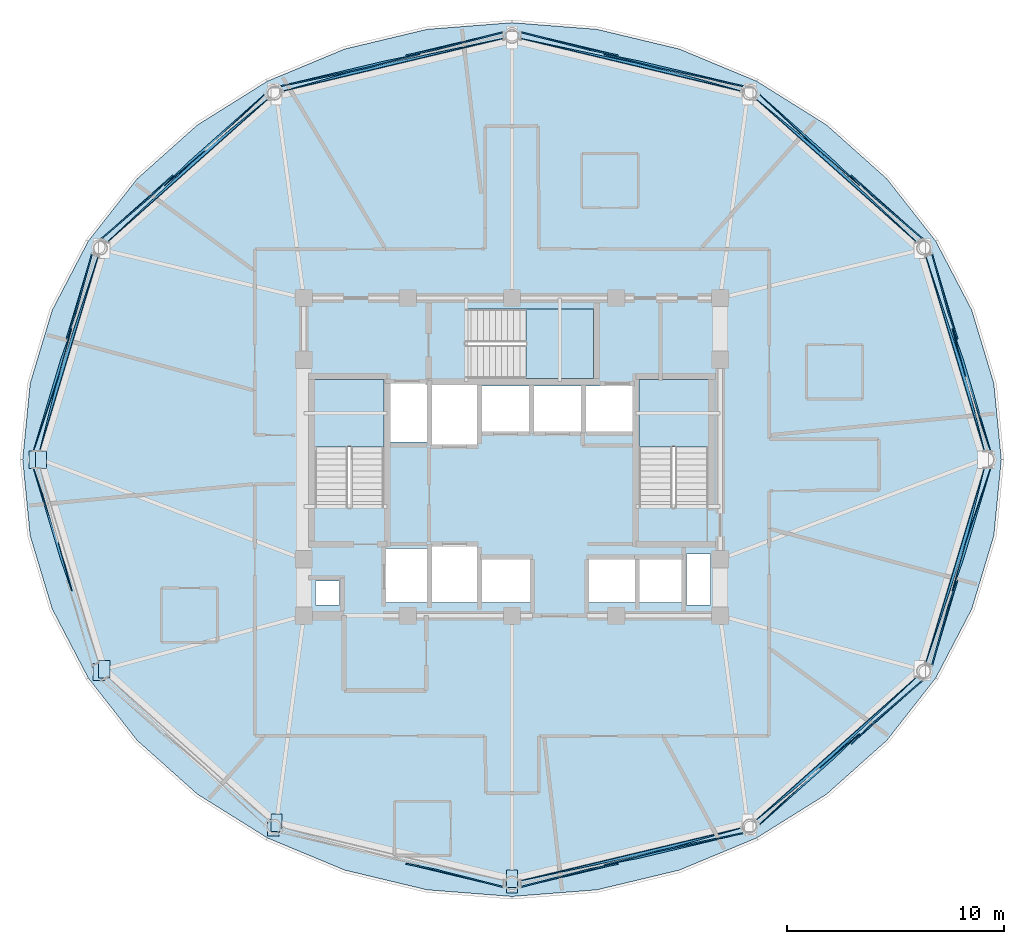
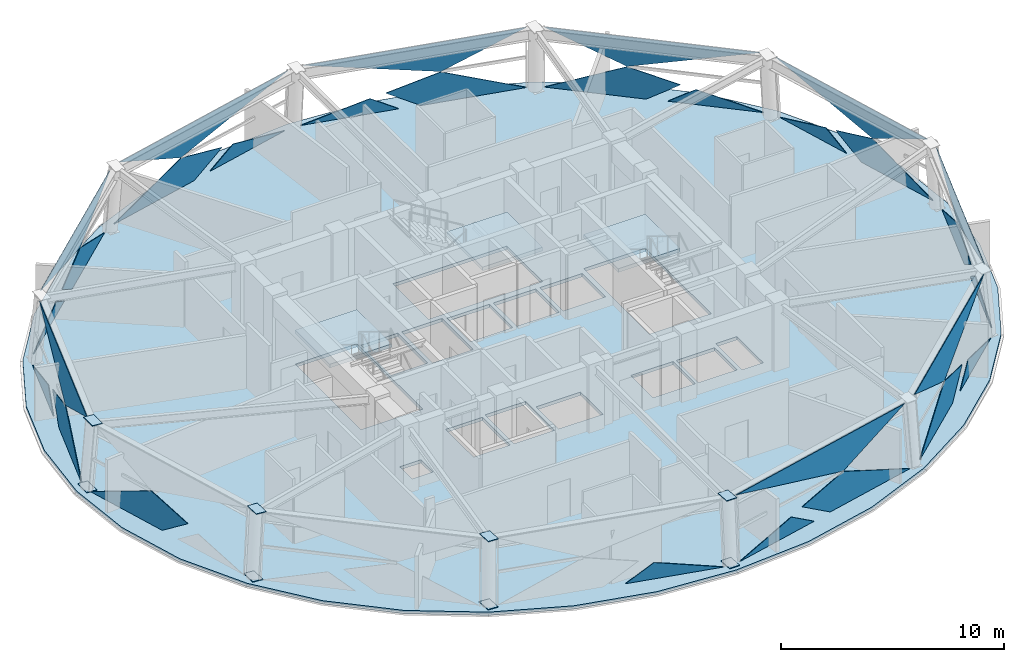
# One storey, part 3 of 11: 37 plates, 4 slabs, 14 elements without a shape of their own.
"""IFC4 building model written with IfcOpenShell, lengths in metres."""

from ifc_helpers import new_model, si_unit, direction, frame, origin, place, context, subcontext, project, spatial, polyline, outline, extrude, material, layer, layer_set, type_object, element, aggregate, save


model = new_model("IFC4")

# Units and contexts
model_context = context("Model", 3, precision=1e-05, world=origin(), true_north=direction((0.0, 1.0)))
body_context = subcontext(model_context, "Body", "Model", "MODEL_VIEW")
ifc_project = project(units=[si_unit("LENGTHUNIT", "METRE"), si_unit("AREAUNIT", "SQUARE_METRE"), si_unit("VOLUMEUNIT", "CUBIC_METRE"), si_unit("PLANEANGLEUNIT", "RADIAN"), si_unit("MASSUNIT", "GRAM", prefix="KILO")], contexts=[model_context])

# Site, building, storey
site_placement = place(None, origin())
site = spatial("IfcSite", under=ifc_project, at=site_placement, CompositionType="ELEMENT")
building_placement = place(site_placement, origin())
building = spatial("IfcBuilding", under=site, at=building_placement, Name="Vantalir Tower", CompositionType="ELEMENT")
storey_placement = place(building_placement, frame((0.0, 0.0, 231.14990234375)))
storey = spatial("IfcBuildingStorey", under=building, at=storey_placement, Name="L58", CompositionType="ELEMENT", Elevation=231.14990234375)

# Curtain wall, plates
ifc_material_1 = material(Name="Champagne-silver PVDF aluminium and double-silver Low-E glass", Category="aluminium")
ifc_layer_1 = layer(ifc_material_1, 0.2099609375)
ifc_layer_set_1 = layer_set([ifc_layer_1], Name="Champagne-silver PVDF aluminium and double-silver Low-E glass")
curtain_wall_type = type_object("IfcCurtainWallType", Name="CW-DIAMOND-Z3", PredefinedType="USERDEFINED", material=ifc_layer_set_1)
curtain_wall_1_placement = place(storey_placement, origin())
curtain_wall_1 = element("IfcCurtainWall", 1, at=curtain_wall_1_placement, inside=storey, type_object=curtain_wall_type, Name="L58 Quilted Pyramid-Diamond Curtain Wall S01", ObjectType="UNITISED CURTAIN WALL", PredefinedType="USERDEFINED")
ifc_material_2 = material(Name="Double-silver Low-E acoustic glass IGU", Category="glass")
ifc_layer_2 = layer(ifc_material_2, 0.031982421875)
ifc_layer_set_2 = layer_set([ifc_layer_2], Name="Double-silver Low-E acoustic glass IGU")
plate_type_1 = type_object("IfcPlateType", Name="CWP-IGU-32", PredefinedType="CURTAIN_PANEL", material=ifc_layer_set_2)
plate_1_placement = place(storey_placement, frame((53.58056640625, 25.40673828125, 0.047119140625), z_axis=(0.955468079571, 0.287307421069, 0.06734385435), x_axis=(-0.287957632974, 0.957643147871, -5.4296624e-05)))
plate_1 = element("IfcPlate", 2, at=plate_1_placement, type_object=plate_type_1, Name="CW-L58-S01 Pyramid Diamond Facet 1L", PredefinedType="CURTAIN_PANEL", context=body_context, shape_type="SweptSolid", body=[
    extrude(outline(polyline([(0.0, 0.0), (4.415308858593637, -2.6725583551767684e-17), (5.92254074423604, 1.0503133917621268), (3.6209200420926786, 1.7294690033438576), (0.0, 0.0)])), origin(), (0.0, 0.0, -1.0), 0.031982421875),
])
plate_2_placement = place(storey_placement, frame((52.06640625, 30.566650390625, 0.04931640625), z_axis=(0.955462530789, 0.287303594, 0.067438839946), x_axis=(-0.287959158941, 0.95764269056, 0.0)))
plate_2 = element("IfcPlate", 3, at=plate_2_placement, type_object=plate_type_1, Name="CW-L58-S01 Pyramid Diamond Facet 1L Infill Light", PredefinedType="CURTAIN_PANEL", context=body_context, shape_type="SweptSolid", body=[
    extrude(outline(polyline([(0.0, 0.0), (4.103500751103458, -2.7755575615628914e-17), (1.2208210795331935, 0.8508139075567797), (0.0, 0.0)])), origin(), (0.0, 0.0, -1.0), 0.031982421875),
])
plate_3_placement = place(storey_placement, frame((50.595458984375, 34.354248046875, 3.5234375), z_axis=(0.95336826046, 0.286673866325, 0.094377191704), x_axis=(0.287961540952, -0.957641973939, -2.6130811e-05)))
plate_3 = element("IfcPlate", 4, at=plate_3_placement, type_object=plate_type_1, Name="CW-L58-S01 Pyramid Diamond Facet 2U", PredefinedType="CURTAIN_PANEL", context=body_context, shape_type="SweptSolid", body=[
    extrude(outline(polyline([(0.0, 0.0), (9.343017399496407, 1.5070410197548512e-17), (5.807043116061631, 1.7334154157833377), (0.0, 0.0)])), origin(), (0.0, 0.0, -1.0), 0.031982421875),
])
aggregate(curtain_wall_1, [plate_1, plate_2, plate_3])

curtain_wall_2_placement = place(storey_placement, origin())
curtain_wall_2 = element("IfcCurtainWall", 5, at=curtain_wall_2_placement, inside=storey, type_object=curtain_wall_type, Name="L58 Quilted Pyramid-Diamond Curtain Wall S02", ObjectType="UNITISED CURTAIN WALL", PredefinedType="USERDEFINED")
plate_4_placement = place(storey_placement, frame((46.39990234375, 38.75, 0.046875), z_axis=(0.664006262886, 0.745048170355, 0.0632369093), x_axis=(-0.746542259866, 0.66533799999, -1.952979e-06)))
plate_4 = element("IfcPlate", 6, at=plate_4_placement, type_object=plate_type_1, Name="CW-L58-S02 Pyramid Diamond Facet 1L", PredefinedType="CURTAIN_PANEL", context=body_context, shape_type="SweptSolid", body=[
    extrude(outline(polyline([(0.0, 0.0), (4.662573966010554, 0.0), (0.8496111223000942, 1.7292928413883166), (-1.5847867387447, 1.0526317047287888), (0.0, 0.0)])), origin(), (0.0, 0.0, -1.0), 0.031982421875),
])
plate_5_placement = place(storey_placement, frame((50.4345703125, 35.202392578125, 0.049072265625), z_axis=(0.66400059894, 0.745053621113, 0.063232161709), x_axis=(-0.746547578868, 0.66533203176, 0.0)))
plate_5 = element("IfcPlate", 7, at=plate_5_placement, type_object=plate_type_1, Name="CW-L58-S02 Pyramid Diamond Facet 1L Infill Light", PredefinedType="CURTAIN_PANEL", context=body_context, shape_type="SweptSolid", body=[
    extrude(outline(polyline([(0.0, 0.0), (4.379862025114846, 0.0), (3.0878210965173443, 0.8581626293215776), (0.0, 0.0)])), origin(), (0.0, 0.0, -1.0), 0.031982421875),
])
plate_6_placement = place(storey_placement, frame((42.771240234375, 41.62451171875, 3.523193359375), z_axis=(0.66257536888, 0.743498711036, 0.090573435628), x_axis=(0.74656577347, -0.665311615165, 2.4682308e-05)))
plate_6 = element("IfcPlate", 8, at=plate_6_placement, type_object=plate_type_1, Name="CW-L58-S02 Pyramid Diamond Facet 2U", PredefinedType="CURTAIN_PANEL", context=body_context, shape_type="SweptSolid", body=[
    extrude(outline(polyline([(0.0, 0.0), (9.891320693752773, -1.0467971975347545e-16), (3.7715385602121736, 1.7330463717906446), (0.0, 0.0)])), origin(), (0.0, 0.0, -1.0), 0.031982421875),
])
aggregate(curtain_wall_2, [plate_4, plate_5, plate_6])

curtain_wall_3_placement = place(storey_placement, origin())
curtain_wall_3 = element("IfcCurtainWall", 9, at=curtain_wall_3_placement, inside=storey, type_object=curtain_wall_type, Name="L58 Quilted Pyramid-Diamond Curtain Wall S03", ObjectType="UNITISED CURTAIN WALL", PredefinedType="USERDEFINED")
plate_7_placement = place(storey_placement, frame((42.188720703125, 42.233642578125, 0.046875), z_axis=(0.23183174634, 0.970920470291, 0.059728399943), x_axis=(-0.972656314672, 0.232249200615, -4.8403548e-05)))
plate_7 = element("IfcPlate", 10, at=plate_7_placement, type_object=plate_type_1, Name="CW-L58-S03 Pyramid Diamond Facet 1L", PredefinedType="CURTAIN_PANEL", context=body_context, shape_type="SweptSolid", body=[
    extrude(outline(polyline([(0.0, 0.0), (4.9409938587907805, 3.0086610286472748e-18), (6.6032101251574815, 1.0490675566256669), (4.033214340410003, 1.7293619112932064), (0.0, 0.0)])), origin(), (0.0, 0.0, -1.0), 0.031982421875),
])
plate_8_placement = place(storey_placement, frame((36.389892578125, 43.6552734375, 0.048828125), z_axis=(0.231824840739, 0.970905774646, 0.059993499444), x_axis=(-0.972657757124, 0.232243164607, 0.0)))
plate_8 = element("IfcPlate", 11, at=plate_8_placement, type_object=plate_type_1, Name="CW-L58-S03 Pyramid Diamond Facet 1L Infill Light", PredefinedType="CURTAIN_PANEL", context=body_context, shape_type="SweptSolid", body=[
    extrude(outline(polyline([(0.0, 0.0), (4.593868383841429, 0.0), (1.357955814469563, 0.8567678472149116), (0.0, 0.0)])), origin(), (0.0, 0.0, -1.0), 0.031982421875),
])
plate_9_placement = place(storey_placement, frame((31.913330078125, 44.42431640625, 3.523681640625), z_axis=(0.231395578109, 0.968966027051, 0.086953578725), x_axis=(0.972651020678, -0.232271370976, -4.6895088e-05)))
plate_9 = element("IfcPlate", 12, at=plate_9_placement, type_object=plate_type_1, Name="CW-L58-S03 Pyramid Diamond Facet 2U", PredefinedType="CURTAIN_PANEL", context=body_context, shape_type="SweptSolid", body=[
    extrude(outline(polyline([(0.0, 0.0), (10.412204573837768, 8.782037597132586e-18), (6.469907449410351, 1.732822394681669), (0.0, 0.0)])), origin(), (0.0, 0.0, -1.0), 0.031982421875),
])
aggregate(curtain_wall_3, [plate_7, plate_8, plate_9])

curtain_wall_4_placement = place(storey_placement, origin())
curtain_wall_4 = element("IfcCurtainWall", 13, at=curtain_wall_4_placement, inside=storey, type_object=curtain_wall_type, Name="L58 Quilted Pyramid-Diamond Curtain Wall S04", ObjectType="UNITISED CURTAIN WALL", PredefinedType="USERDEFINED")
plate_10_placement = place(storey_placement, frame((25.61767578125, 43.381103515625, 0.046630859375), z_axis=(-0.231848763244, 0.970918960679, 0.059686872721), x_axis=(-0.97265237739, -0.2322656892, 4.8767754e-05)))
plate_10 = element("IfcPlate", 14, at=plate_10_placement, type_object=plate_type_1, Name="CW-L58-S04 Pyramid Diamond Facet 1L", PredefinedType="CURTAIN_PANEL", context=body_context, shape_type="SweptSolid", body=[
    extrude(outline(polyline([(0.0, 0.0), (4.940518928753041, 1.2603850255143989e-17), (0.9080193619519665, 1.729357265121628), (-1.6619773718813105, 1.0488227438688762), (0.0, 0.0)])), origin(), (0.0, 0.0, -1.0), 0.031982421875),
])
plate_11_placement = place(storey_placement, frame((31.078369140625, 44.72216796875, 0.048828125), z_axis=(-0.231853030924, 0.970917726753, 0.059690367136), x_axis=(-0.972652023295, -0.232267177148, 0.0)))
plate_11 = element("IfcPlate", 15, at=plate_11_placement, type_object=plate_type_1, Name="CW-L58-S04 Pyramid Diamond Facet 1L Infill Light", PredefinedType="CURTAIN_PANEL", context=body_context, shape_type="SweptSolid", body=[
    extrude(outline(polyline([(0.0, 0.0), (4.593393454695747, 6.938893903907228e-18), (3.2356196676154734, 0.8567522497116854), (0.0, 0.0)])), origin(), (0.0, 0.0, -1.0), 0.031982421875),
])
plate_12_placement = place(storey_placement, frame((20.959228515625, 42.005859375, 3.523193359375), z_axis=(-0.231396234959, 0.968968784207, 0.08692110031), x_axis=(0.972651020678, 0.232271370976, 4.6895088e-05)))
plate_12 = element("IfcPlate", 16, at=plate_12_placement, type_object=plate_type_1, Name="CW-L58-S04 Pyramid Diamond Facet 2U", PredefinedType="CURTAIN_PANEL", context=body_context, shape_type="SweptSolid", body=[
    extrude(outline(polyline([(0.0, 0.0), (10.412204573837768, -1.8648277366750676e-17), (3.9425345880555116, 1.732817475830294), (0.0, 0.0)])), origin(), (0.0, 0.0, -1.0), 0.031982421875),
])
aggregate(curtain_wall_4, [plate_10, plate_11, plate_12])

curtain_wall_5_placement = place(storey_placement, origin())
curtain_wall_5 = element("IfcCurtainWall", 17, at=curtain_wall_5_placement, inside=storey, type_object=curtain_wall_type, Name="L58 Quilted Pyramid-Diamond Curtain Wall S05", ObjectType="UNITISED CURTAIN WALL", PredefinedType="USERDEFINED")
plate_13_placement = place(storey_placement, frame((20.081787109375, 41.852294921875, 0.046875), z_axis=(-0.663968605843, 0.745092044238, 0.06311526019), x_axis=(-0.746580493818, -0.665295097118, 1.17727e-06)))
plate_13 = element("IfcPlate", 18, at=plate_13_placement, type_object=plate_type_1, Name="CW-L58-S05 Pyramid Diamond Facet 1L", PredefinedType="CURTAIN_PANEL", context=body_context, shape_type="SweptSolid", body=[
    extrude(outline(polyline([(0.0, 0.0), (4.662938491315362, 0.0), (6.24790286609965, 1.0526284377103432), (3.8135020179586663, 1.7292788374482435), (0.0, 0.0)])), origin(), (0.0, 0.0, -1.0), 0.031982421875),
])
plate_14_placement = place(storey_placement, frame((15.83544921875, 38.116455078125, 0.049072265625), z_axis=(-0.663970622839, 0.745075613463, 0.063287773143), x_axis=(-0.746572252289, -0.665304345478, 0.0)))
plate_14 = element("IfcPlate", 19, at=plate_14_placement, type_object=plate_type_1, Name="CW-L58-S05 Pyramid Diamond Facet 1L Infill Light", PredefinedType="CURTAIN_PANEL", context=body_context, shape_type="SweptSolid", body=[
    extrude(outline(polyline([(0.0, 0.0), (4.380044290719298, -2.7755575615628914e-17), (1.2920389153400635, 0.8581656604537898), (0.0, 0.0)])), origin(), (0.0, 0.0, -1.0), 0.031982421875),
])
plate_15_placement = place(storey_placement, frame((12.84423828125, 35.043701171875, 3.5234375), z_axis=(-0.662580992348, 0.743505017845, 0.090480478658), x_axis=(0.74656577347, 0.665311615165, -2.4682308e-05)))
plate_15 = element("IfcPlate", 20, at=plate_15_placement, type_object=plate_type_1, Name="CW-L58-S05 Pyramid Diamond Facet 2U", PredefinedType="CURTAIN_PANEL", context=body_context, shape_type="SweptSolid", body=[
    extrude(outline(polyline([(0.0, 0.0), (9.891320693752773, 1.1194387430912833e-16), (6.119964400575139, 1.733031663053451), (0.0, 0.0)])), origin(), (0.0, 0.0, -1.0), 0.031982421875),
])
aggregate(curtain_wall_5, [plate_13, plate_14, plate_15])

curtain_wall_6_placement = place(storey_placement, origin())
curtain_wall_6 = element("IfcCurtainWall", 21, at=curtain_wall_6_placement, inside=storey, type_object=curtain_wall_type, Name="L58 Quilted Pyramid-Diamond Curtain Wall S06", ObjectType="UNITISED CURTAIN WALL", PredefinedType="USERDEFINED")
plate_16_placement = place(storey_placement, frame((10.69091796875, 29.635009765625, 0.046875), z_axis=(-0.955468079571, 0.287307421069, 0.06734385435), x_axis=(-0.287957632974, -0.957643147871, 5.4296624e-05)))
plate_16 = element("IfcPlate", 22, at=plate_16_placement, type_object=plate_type_1, Name="CW-L58-S06 Pyramid Diamond Facet 1L", PredefinedType="CURTAIN_PANEL", context=body_context, shape_type="SweptSolid", body=[
    extrude(outline(polyline([(0.0, 0.0), (4.415308858593637, 2.6725583551767684e-17), (0.7943888165009588, 1.7294690033438576), (-1.5072318856424027, 1.0503133917621268), (0.0, 0.0)])), origin(), (0.0, 0.0, -1.0), 0.031982421875),
])
plate_17_placement = place(storey_placement, frame((12.115234375, 34.496337890625, 0.04931640625), z_axis=(-0.955462530789, 0.287303594, 0.067438839946), x_axis=(-0.287959158941, -0.95764269056, 0.0)))
plate_17 = element("IfcPlate", 23, at=plate_17_placement, type_object=plate_type_1, Name="CW-L58-S06 Pyramid Diamond Facet 1L Infill Light", PredefinedType="CURTAIN_PANEL", context=body_context, shape_type="SweptSolid", body=[
    extrude(outline(polyline([(0.0, 0.0), (4.103500751103458, 2.7755575615628914e-17), (2.8826796715702643, 0.8508139075567797), (0.0, 0.0)])), origin(), (0.0, 0.0, -1.0), 0.031982421875),
])
plate_18_placement = place(storey_placement, frame((9.714111328125, 25.406982421875, 3.523193359375), z_axis=(-0.95336826046, 0.286673866325, 0.094377191704), x_axis=(0.287961540952, 0.957641973939, 2.6130811e-05)))
plate_18 = element("IfcPlate", 24, at=plate_18_placement, type_object=plate_type_1, Name="CW-L58-S06 Pyramid Diamond Facet 2U", PredefinedType="CURTAIN_PANEL", context=body_context, shape_type="SweptSolid", body=[
    extrude(outline(polyline([(0.0, 0.0), (9.343017399496407, -1.5070410197548512e-17), (3.5359742834347783, 1.7334154157833377), (0.0, 0.0)])), origin(), (0.0, 0.0, -1.0), 0.031982421875),
])
aggregate(curtain_wall_6, [plate_16, plate_17, plate_18])

# Curtain wall, plate
curtain_wall_7_placement = place(storey_placement, origin())
curtain_wall_7 = element("IfcCurtainWall", 25, at=curtain_wall_7_placement, inside=storey, type_object=curtain_wall_type, Name="L58 Quilted Pyramid-Diamond Curtain Wall S07", ObjectType="UNITISED CURTAIN WALL", PredefinedType="USERDEFINED")
plate_19_placement = place(storey_placement, frame((9.41943359375, 24.59326171875, 0.047119140625), z_axis=(-0.955464638505, -0.287337688889, 0.06726349017), x_axis=(0.287986370714, -0.957634506098, -5.4891494e-05)))
plate_19 = element("IfcPlate", 26, at=plate_19_placement, type_object=plate_type_1, Name="CW-L58-S07 Pyramid Diamond Facet 1L", PredefinedType="CURTAIN_PANEL", context=body_context, shape_type="SweptSolid", body=[
    extrude(outline(polyline([(0.0, 0.0), (4.415846762711737, 1.0760706561918632e-17), (5.923080144930975, 1.0503112458398152), (3.6211563085519103, 1.7294591162740514), (0.0, 0.0)])), origin(), (0.0, 0.0, -1.0), 0.031982421875),
])
aggregate(curtain_wall_7, [plate_19])

curtain_wall_8_placement = place(storey_placement, origin())
curtain_wall_8 = element("IfcCurtainWall", 27, at=curtain_wall_8_placement, inside=storey, type_object=curtain_wall_type, Name="L58 Quilted Pyramid-Diamond Curtain Wall S09", ObjectType="UNITISED CURTAIN WALL", PredefinedType="USERDEFINED")
plate_20_placement = place(storey_placement, frame((26.610107421875, 6.3447265625, 0.048828125), z_axis=(-0.231824840739, -0.970905774646, 0.059993499444), x_axis=(0.972657757124, -0.232243164607, 0.0)))
plate_20 = element("IfcPlate", 28, at=plate_20_placement, type_object=plate_type_1, Name="CW-L58-S09 Pyramid Diamond Facet 1L Infill Light", PredefinedType="CURTAIN_PANEL", context=body_context, shape_type="SweptSolid", body=[
    extrude(outline(polyline([(0.0, 0.0), (4.593868383841429, 0.0), (1.357955814469563, 0.8567678472149116), (0.0, 0.0)])), origin(), (0.0, 0.0, -1.0), 0.031982421875),
])
aggregate(curtain_wall_8, [plate_20])

# Curtain wall, plates
curtain_wall_9_placement = place(storey_placement, origin())
curtain_wall_9 = element("IfcCurtainWall", 29, at=curtain_wall_9_placement, inside=storey, type_object=curtain_wall_type, Name="L58 Quilted Pyramid-Diamond Curtain Wall S10", ObjectType="UNITISED CURTAIN WALL", PredefinedType="USERDEFINED")
plate_21_placement = place(storey_placement, frame((37.3828125, 6.618896484375, 0.046630859375), z_axis=(0.23183174634, -0.970920470291, 0.059728399943), x_axis=(0.972656314672, 0.232249200615, 4.8403548e-05)))
plate_21 = element("IfcPlate", 30, at=plate_21_placement, type_object=plate_type_1, Name="CW-L58-S10 Pyramid Diamond Facet 1L", PredefinedType="CURTAIN_PANEL", context=body_context, shape_type="SweptSolid", body=[
    extrude(outline(polyline([(0.0, 0.0), (4.9409938587907805, -3.0086610286472748e-18), (0.9077795183807776, 1.7293619112932064), (-1.6622162663667008, 1.0490675566256669), (0.0, 0.0)])), origin(), (0.0, 0.0, -1.0), 0.031982421875),
])
plate_22_placement = place(storey_placement, frame((31.921630859375, 5.27783203125, 0.048828125), z_axis=(0.231824840739, -0.970905774646, 0.059993499444), x_axis=(0.972657757124, 0.232243164607, 0.0)))
plate_22 = element("IfcPlate", 31, at=plate_22_placement, type_object=plate_type_1, Name="CW-L58-S10 Pyramid Diamond Facet 1L Infill Light", PredefinedType="CURTAIN_PANEL", context=body_context, shape_type="SweptSolid", body=[
    extrude(outline(polyline([(0.0, 0.0), (4.593868383841429, 0.0), (3.2359125693718664, 0.8567678472149116), (0.0, 0.0)])), origin(), (0.0, 0.0, -1.0), 0.031982421875),
])
plate_23_placement = place(storey_placement, frame((42.040771484375, 7.994140625, 3.523193359375), z_axis=(0.231395578109, -0.968966027051, 0.086953578725), x_axis=(-0.972651020678, -0.232271370976, 4.6895088e-05)))
plate_23 = element("IfcPlate", 32, at=plate_23_placement, type_object=plate_type_1, Name="CW-L58-S10 Pyramid Diamond Facet 2U", PredefinedType="CURTAIN_PANEL", context=body_context, shape_type="SweptSolid", body=[
    extrude(outline(polyline([(0.0, 0.0), (10.412204573837768, -8.782037597132586e-18), (3.9422971244274163, 1.732822394681669), (0.0, 0.0)])), origin(), (0.0, 0.0, -1.0), 0.031982421875),
])
aggregate(curtain_wall_9, [plate_21, plate_22, plate_23])

curtain_wall_10_placement = place(storey_placement, origin())
curtain_wall_10 = element("IfcCurtainWall", 33, at=curtain_wall_10_placement, inside=storey, type_object=curtain_wall_type, Name="L58 Quilted Pyramid-Diamond Curtain Wall S11", ObjectType="UNITISED CURTAIN WALL", PredefinedType="USERDEFINED")
plate_24_placement = place(storey_placement, frame((42.919189453125, 8.147705078125, 0.046875), z_axis=(0.664018670854, -0.745044562253, 0.063149069783), x_axis=(0.74653452652, 0.665346677088, 9.45877e-07)))
plate_24 = element("IfcPlate", 34, at=plate_24_placement, type_object=plate_type_1, Name="CW-L58-S11 Pyramid Diamond Facet 1L", PredefinedType="CURTAIN_PANEL", context=body_context, shape_type="SweptSolid", body=[
    extrude(outline(polyline([(0.0, 0.0), (4.662229269813276, -2.7755575615628914e-17), (6.247015722478605, 1.0526321429674041), (3.8127999399340213, 1.7292823463668066), (0.0, 0.0)])), origin(), (0.0, 0.0, -1.0), 0.031982421875),
])
plate_25_placement = place(storey_placement, frame((47.164794921875, 11.88330078125, 0.049072265625), z_axis=(0.664034231021, -0.74502893994, 0.063169760828), x_axis=(0.746519892271, 0.665363096695, 0.0)))
plate_25 = element("IfcPlate", 35, at=plate_25_placement, type_object=plate_type_1, Name="CW-L58-S11 Pyramid Diamond Facet 1L Infill Light", PredefinedType="CURTAIN_PANEL", context=body_context, shape_type="SweptSolid", body=[
    extrude(outline(polyline([(0.0, 0.0), (4.380024463485089, 0.0), (1.2920431855032883, 0.858159231337479), (0.0, 0.0)])), origin(), (0.0, 0.0, -1.0), 0.031982421875),
])
plate_26_placement = place(storey_placement, frame((50.15576171875, 14.955322265625, 3.5234375), z_axis=(0.662523876529, -0.743551267561, 0.090518647457), x_axis=(-0.746614813363, -0.665256581973, -2.4683929e-05)))
plate_26 = element("IfcPlate", 36, at=plate_26_placement, type_object=plate_type_1, Name="CW-L58-S11 Pyramid Diamond Facet 2U", PredefinedType="CURTAIN_PANEL", context=body_context, shape_type="SweptSolid", body=[
    extrude(outline(polyline([(0.0, 0.0), (9.89067100224938, -1.2197274440461925e-16), (6.119283300706125, 1.7330377057577058), (0.0, 0.0)])), origin(), (0.0, 0.0, -1.0), 0.031982421875),
])
aggregate(curtain_wall_10, [plate_24, plate_25, plate_26])

curtain_wall_11_placement = place(storey_placement, origin())
curtain_wall_11 = element("IfcCurtainWall", 37, at=curtain_wall_11_placement, inside=storey, type_object=curtain_wall_type, Name="L58 Quilted Pyramid-Diamond Curtain Wall S12", ObjectType="UNITISED CURTAIN WALL", PredefinedType="USERDEFINED")
plate_27_placement = place(storey_placement, frame((52.308837890625, 20.364501953125, 0.046875), z_axis=(0.955464638505, -0.287337688889, 0.06726349017), x_axis=(0.287986370714, 0.957634506098, 5.4891494e-05)))
plate_27 = element("IfcPlate", 38, at=plate_27_placement, type_object=plate_type_1, Name="CW-L58-S12 Pyramid Diamond Facet 1L", PredefinedType="CURTAIN_PANEL", context=body_context, shape_type="SweptSolid", body=[
    extrude(outline(polyline([(0.0, 0.0), (4.415846762711737, -1.0760706561918632e-17), (0.7946904541598264, 1.7294591162740514), (-1.5072333822192385, 1.0503112458398152), (0.0, 0.0)])), origin(), (0.0, 0.0, -1.0), 0.031982421875),
])
plate_28_placement = place(storey_placement, frame((50.884765625, 15.503662109375, 0.04931640625), z_axis=(0.955483393944, -0.287286202516, 0.067216975099), x_axis=(0.287937407034, 0.957649230998, 0.0)))
plate_28 = element("IfcPlate", 39, at=plate_28_placement, type_object=plate_type_1, Name="CW-L58-S12 Pyramid Diamond Facet 1L Infill Light", PredefinedType="CURTAIN_PANEL", context=body_context, shape_type="SweptSolid", body=[
    extrude(outline(polyline([(0.0, 0.0), (4.102962850662825, 0.0), (2.882213371940965, 0.8505564465497586), (0.0, 0.0)])), origin(), (0.0, 0.0, -1.0), 0.031982421875),
])
plate_29_placement = place(storey_placement, frame((53.285888671875, 24.593017578125, 3.523193359375), z_axis=(0.953378762266, -0.286645738394, 0.094356538305), x_axis=(-0.287932719952, -0.957650639899, 2.6128196e-05)))
plate_29 = element("IfcPlate", 40, at=plate_29_placement, type_object=plate_type_1, Name="CW-L58-S12 Pyramid Diamond Facet 2U", PredefinedType="CURTAIN_PANEL", context=body_context, shape_type="SweptSolid", body=[
    extrude(outline(polyline([(0.0, 0.0), (9.34395260096822, 6.188083899461017e-17), (3.5362130112686314, 1.7334120039867762), (0.0, 0.0)])), origin(), (0.0, 0.0, -1.0), 0.031982421875),
])
aggregate(curtain_wall_11, [plate_27, plate_28, plate_29])

# Plates
ifc_material_3 = material(Name="Steel S460", Category="steel")
ifc_layer_3 = layer(ifc_material_3, 0.031982421875)
ifc_layer_set_3 = layer_set([ifc_layer_3], Name="Steel S460")
plate_type_2 = type_object("IfcPlateType", Name="PLT-KN-Z3", PredefinedType="USERDEFINED", material=ifc_layer_set_3)
plate_30_placement = place(storey_placement, frame((9.52490234375, 25.39990234375, 3.615478515625), z_axis=(0.082618137027, 0.0, 0.996581277887), x_axis=(0.0, -1.0, 0.0)))
element("IfcPlate", 41, at=plate_30_placement, inside=storey, type_object=plate_type_2, Name="L58 Ring Column Top Cap RC07", ObjectType="FLANGE_PLATE", PredefinedType="USERDEFINED", context=body_context, shape_type="SweptSolid", body=[
    extrude(outline(polyline([(0.0, 0.0), (0.7998046875, 0.0), (0.7998046875, 0.5200885852221947), (0.0, 0.5200885852221947), (0.0, 0.0)])), origin(), (0.0, 0.0, -1.0), 0.031982421875),
])
plate_31_placement = place(storey_placement, frame((9.232177734375, 25.39990234375, 0.07421875), z_axis=(0.082151892877, 0.0, 0.996619820441), x_axis=(0.0, -1.0, 0.0)))
element("IfcPlate", 42, at=plate_31_placement, inside=storey, type_object=plate_type_2, Name="L58 Ring Column Base Cap RC07", ObjectType="FLANGE_PLATE", PredefinedType="USERDEFINED", context=body_context, shape_type="SweptSolid", body=[
    extrude(outline(polyline([(0.0, 0.0), (0.7998046875, 0.0), (0.7998046875, 0.5200684716920532), (0.0, 0.5200684716920532), (0.0, 0.0)])), origin(), (0.0, 0.0, -1.0), 0.031982421875),
])
plate_32_placement = place(storey_placement, frame((12.434326171875, 15.734375, 3.597900390625), z_axis=(0.07140211899, 0.036523189325, 0.996778708664), x_axis=(0.0, -0.999329385637, 0.036616649245)))
element("IfcPlate", 43, at=plate_32_placement, inside=storey, type_object=plate_type_2, Name="L58 Ring Column Top Cap RC08", ObjectType="FLANGE_PLATE", PredefinedType="USERDEFINED", context=body_context, shape_type="SweptSolid", body=[
    extrude(outline(polyline([(0.0, 0.0), (0.800097103484205, 0.0), (0.8002021439208812, 0.5201263928224394), (0.00010504043667614645, 0.5201263928224394), (0.0, 0.0)])), origin(), (0.0, 0.0, -1.0), 0.031982421875),
])
plate_33_placement = place(storey_placement, frame((12.180419921875, 15.604248046875, 0.056884765625), z_axis=(0.071393568921, 0.03652878117, 0.996779116185), x_axis=(-3.9801e-07, -0.999329179985, 0.036622261397)))
element("IfcPlate", 44, at=plate_33_placement, inside=storey, type_object=plate_type_2, Name="L58 Ring Column Base Cap RC08", ObjectType="FLANGE_PLATE", PredefinedType="USERDEFINED", context=body_context, shape_type="SweptSolid", body=[
    extrude(outline(polyline([(0.0, 0.0), (0.7998531266209424, 0.0), (0.7999577520057323, 0.5201263928869803), (-0.00013935146579253758, 0.5201257544615235), (0.0, 0.0)])), origin(), (0.0, 0.0, -1.0), 0.031982421875),
])
plate_34_placement = place(storey_placement, frame((20.38232421875, 8.658447265625, 3.579345703125), z_axis=(0.041179545632, 0.063578274603, 0.997126896649), x_axis=(6.265813e-06, -0.997973431279, 0.063631992127)))
element("IfcPlate", 45, at=plate_34_placement, inside=storey, type_object=plate_type_2, Name="L58 Ring Column Top Cap RC09", ObjectType="FLANGE_PLATE", PredefinedType="USERDEFINED", context=body_context, shape_type="SweptSolid", body=[
    extrude(outline(polyline([(0.0, 0.0), (0.7999532652940907, 4.336808689942018e-19), (0.8000668372966544, 0.5199672925635039), (9.80368482357977e-05, 0.5199773258864586), (0.0, 0.0)])), origin(), (0.0, 0.0, -1.0), 0.031982421875),
])
plate_35_placement = place(storey_placement, frame((20.2353515625, 8.43212890625, 0.0380859375), z_axis=(0.041149719232, 0.063578352796, 0.997128122993), x_axis=(-6.261161e-06, -0.997973398438, 0.063632507187)))
element("IfcPlate", 46, at=plate_35_placement, inside=storey, type_object=plate_type_2, Name="L58 Ring Column Base Cap RC09", ObjectType="FLANGE_PLATE", PredefinedType="USERDEFINED", context=body_context, shape_type="SweptSolid", body=[
    extrude(outline(polyline([(0.0, 0.0), (0.7999688005113155, 4.336808689942018e-19), (0.7998166722422404, 0.5199766824128913), (-0.00013659298900024395, 0.5199666565517896), (0.0, 0.0)])), origin(), (0.0, 0.0, -1.0), 0.031982421875),
])
plate_36_placement = place(storey_placement, frame((31.239990234375, 6.067626953125, 3.564697265625), z_axis=(0.0, 0.073545696274, 0.997291848237), x_axis=(0.0, -0.997291848237, 0.073545696274)))
element("IfcPlate", 47, at=plate_36_placement, inside=storey, type_object=plate_type_2, Name="L58 Ring Column Top Cap RC10", ObjectType="FLANGE_PLATE", PredefinedType="USERDEFINED", context=body_context, shape_type="SweptSolid", body=[
    extrude(outline(polyline([(0.0, 0.0), (0.8000181330175529, 0.0), (0.8000181330175529, 0.52001953125), (0.0, 0.52001953125), (0.0, 0.0)])), origin(), (0.0, 0.0, -1.0), 0.031982421875),
])
plate_37_placement = place(storey_placement, frame((31.239990234375, 5.806884765625, 0.023681640625), z_axis=(0.0, 0.073242167855, 0.997314185625), x_axis=(0.0, -0.997314185625, 0.073242167855)))
element("IfcPlate", 48, at=plate_37_placement, inside=storey, type_object=plate_type_2, Name="L58 Ring Column Base Cap RC10", ObjectType="FLANGE_PLATE", PredefinedType="USERDEFINED", context=body_context, shape_type="SweptSolid", body=[
    extrude(outline(polyline([(0.0, 0.0), (0.8000002145766925, 0.0), (0.8000002145766925, 0.52001953125), (0.0, 0.52001953125), (0.0, 0.0)])), origin(), (0.0, 0.0, -1.0), 0.031982421875),
])

# Stair, slab
ifc_material_4 = material(Name="Concrete C40/50", Category="concrete")
stair_type = type_object("IfcStairType", Name="STR-CORE-1450", PredefinedType="HALF_TURN_STAIR", material=ifc_material_4)
stair_1_placement = place(storey_placement, origin())
stair_1 = element("IfcStair", 49, at=stair_1_placement, inside=storey, type_object=stair_type, Name="L58 Core Exit Stair 1", PredefinedType="HALF_TURN_STAIR")
ifc_layer_4 = layer(ifc_material_4, 0.199951171875)
ifc_layer_set_4 = layer_set([ifc_layer_4], Name="Concrete C40/50")
slab_type_1 = type_object("IfcSlabType", Name="SL-LAND-200", PredefinedType="LANDING", material=ifc_layer_set_4)
slab_1_placement = place(storey_placement, frame((0.0, 0.0, 1.675048828125)))
slab_1 = element("IfcSlab", 50, at=slab_1_placement, type_object=slab_type_1, Name="ST1 landing 1", PredefinedType="LANDING", context=body_context, shape_type="SweptSolid", body=[
    extrude(outline(polyline([(25.60009765625, 25.590087890625), (25.60009765625, 28.699951171875), (22.39990234375, 28.699951171875), (22.39990234375, 25.590087890625), (25.60009765625, 25.590087890625)])), origin(), (0.0, 0.0, 1.0), 0.199951171875),
])
aggregate(stair_1, [slab_1])

stair_2_placement = place(storey_placement, origin())
stair_2 = element("IfcStair", 51, at=stair_2_placement, inside=storey, type_object=stair_type, Name="L58 Core Exit Stair 2", PredefinedType="HALF_TURN_STAIR")
slab_2_placement = place(storey_placement, frame((0.0, 0.0, 1.675048828125)))
slab_2 = element("IfcSlab", 52, at=slab_2_placement, type_object=slab_type_1, Name="ST2 landing 1", PredefinedType="LANDING", context=body_context, shape_type="SweptSolid", body=[
    extrude(outline(polyline([(40.550048828125, 25.590087890625), (40.550048828125, 28.699951171875), (37.35009765625, 28.699951171875), (37.35009765625, 25.590087890625), (40.550048828125, 25.590087890625)])), origin(), (0.0, 0.0, 1.0), 0.199951171875),
])
aggregate(stair_2, [slab_2])

stair_3_placement = place(storey_placement, origin())
stair_3 = element("IfcStair", 53, at=stair_3_placement, inside=storey, type_object=stair_type, Name="L58 Core Exit Stair 3", PredefinedType="HALF_TURN_STAIR")
slab_3_placement = place(storey_placement, frame((0.0, 0.0, 1.675048828125)))
slab_3 = element("IfcSlab", 54, at=slab_3_placement, type_object=slab_type_1, Name="ST3 landing 1", PredefinedType="LANDING", context=body_context, shape_type="SweptSolid", body=[
    extrude(outline(polyline([(32.139892578125, 28.75), (35.25, 28.75), (35.25, 31.949951171875), (32.139892578125, 31.949951171875), (32.139892578125, 28.75)])), origin(), (0.0, 0.0, 1.0), 0.199951171875),
])
aggregate(stair_3, [slab_3])

# Slab
ifc_layer_5 = layer(ifc_material_4, 0.179931640625)
ifc_layer_set_5 = layer_set([ifc_layer_5], Name="Concrete C40/50")
slab_type_2 = type_object("IfcSlabType", Name="SL-TWR-180", PredefinedType="FLOOR", material=ifc_layer_set_5)
slab_4_placement = place(storey_placement, frame((0.0, 0.0, -0.179931640625)))
element("IfcSlab", 55, at=slab_4_placement, inside=storey, type_object=slab_type_2, Name="L58 Primary Structural Slab", PredefinedType="FLOOR", context=body_context, shape_type="SweptSolid", body=[
    extrude(outline(polyline([(14.216064453125, 12.050048828125), (16.9970703125, 9.56689453125), (20.218017578125, 7.552978515625), (23.782958984375, 6.069091796875), (27.58203125, 5.159912109375), (31.5, 4.85400390625), (35.41796875, 5.159912109375), (39.217041015625, 6.069091796875), (42.781982421875, 7.552978515625), (46.0029296875, 9.56689453125), (48.783935546875, 12.050048828125), (51.0400390625, 14.927001953125), (52.701904296875, 18.110107421875), (53.719970703125, 21.501953125), (54.06298828125, 25.0), (53.719970703125, 28.498046875), (52.701904296875, 31.889892578125), (51.0400390625, 35.072998046875), (48.783935546875, 37.949951171875), (46.0029296875, 40.43310546875), (42.781982421875, 42.447021484375), (39.217041015625, 43.930908203125), (35.41796875, 44.840087890625), (31.5, 45.14599609375), (27.58203125, 44.840087890625), (23.782958984375, 43.930908203125), (20.218994140625, 42.447021484375), (16.9970703125, 40.43310546875), (14.216064453125, 37.949951171875), (11.9599609375, 35.072998046875), (10.298095703125, 31.889892578125), (9.280029296875, 28.498046875), (8.93701171875, 25.0), (9.280029296875, 21.501953125), (10.298095703125, 18.110107421875), (11.9599609375, 14.927001953125), (14.216064453125, 12.050048828125)]), holes=[polyline([(22.39990234375, 28.699951171875), (25.60009765625, 28.699951171875), (25.60009765625, 22.7900390625), (22.39990234375, 22.7900390625), (22.39990234375, 28.699951171875)]), polyline([(40.550048828125, 28.699951171875), (40.550048828125, 22.7900390625), (37.35009765625, 22.7900390625), (37.35009765625, 28.699951171875), (40.550048828125, 28.699951171875)]), polyline([(29.340087890625, 28.75), (29.340087890625, 31.949951171875), (35.25, 31.949951171875), (35.25, 28.75), (29.340087890625, 28.75)]), polyline([(25.699951171875, 18.39990234375), (25.699951171875, 20.89990234375), (27.60009765625, 20.89990234375), (27.60009765625, 18.39990234375), (25.699951171875, 18.39990234375)]), polyline([(25.699951171875, 28.5), (27.60009765625, 28.5), (27.60009765625, 25.800048828125), (25.699951171875, 25.800048828125), (25.699951171875, 28.5)]), polyline([(29.89990234375, 21.0), (29.89990234375, 18.39990234375), (27.800048828125, 18.39990234375), (27.800048828125, 21.0), (29.89990234375, 21.0)]), polyline([(29.89990234375, 25.699951171875), (27.800048828125, 25.699951171875), (27.800048828125, 28.5), (29.89990234375, 28.5), (29.89990234375, 25.699951171875)]), polyline([(30.10009765625, 18.39990234375), (30.10009765625, 20.39990234375), (32.39990234375, 20.39990234375), (32.39990234375, 18.39990234375), (30.10009765625, 18.39990234375)]), polyline([(37.35009765625, 20.39990234375), (39.35009765625, 20.39990234375), (39.35009765625, 18.39990234375), (37.35009765625, 18.39990234375), (37.35009765625, 20.39990234375)]), polyline([(37.199951171875, 20.39990234375), (37.199951171875, 18.39990234375), (35.0, 18.39990234375), (35.0, 20.39990234375), (37.199951171875, 20.39990234375)]), polyline([(32.300048828125, 26.300048828125), (30.10009765625, 26.300048828125), (30.10009765625, 28.39990234375), (32.300048828125, 28.39990234375), (32.300048828125, 26.300048828125)]), polyline([(32.5, 26.300048828125), (32.5, 28.39990234375), (34.699951171875, 28.39990234375), (34.699951171875, 26.300048828125), (32.5, 26.300048828125)]), polyline([(34.89990234375, 28.39990234375), (37.10009765625, 28.39990234375), (37.10009765625, 26.300048828125), (34.89990234375, 26.300048828125), (34.89990234375, 28.39990234375)]), polyline([(23.550048828125, 19.39990234375), (23.550048828125, 18.300048828125), (22.449951171875, 18.300048828125), (22.449951171875, 19.39990234375), (23.550048828125, 19.39990234375)]), polyline([(40.64990234375, 18.300048828125), (39.550048828125, 18.300048828125), (39.550048828125, 20.64990234375), (40.64990234375, 20.64990234375), (40.64990234375, 18.300048828125)])]), origin(), (0.0, 0.0, 1.0), 0.179931640625),
])

save(model, "model.ifc")
